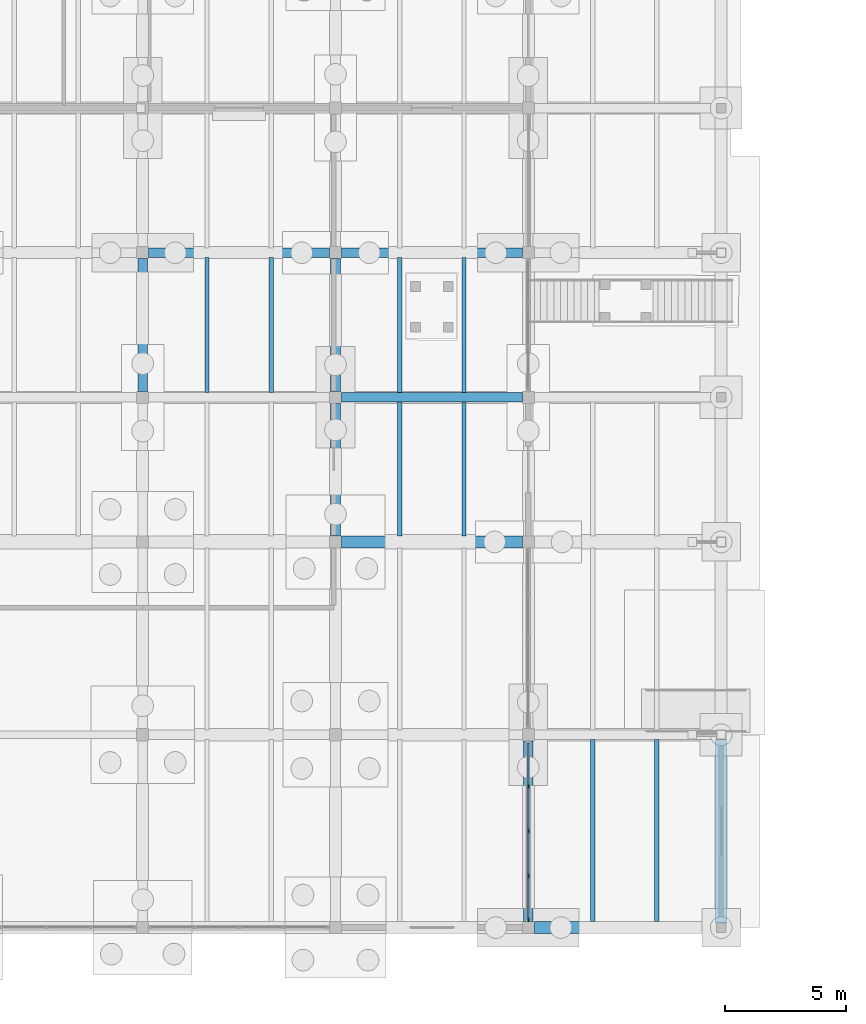
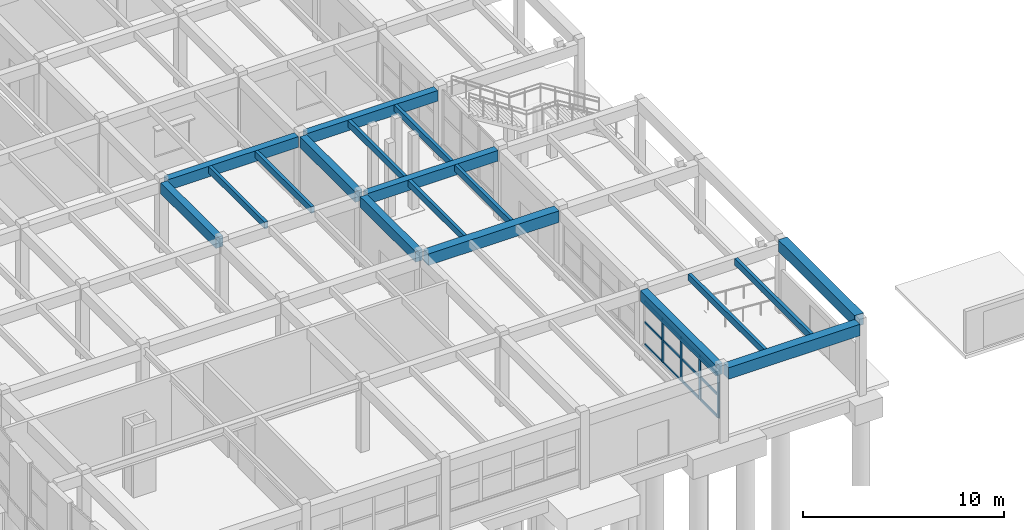
# One storey, part 16 of 99: 18 beams, 16 members, 1 element without a shape of its own.
"""IFC4 building model written with IfcOpenShell, lengths in metres."""

from ifc_helpers import new_model, si_unit, direction, frame, origin, origin_2d, place, context, subcontext, project, spatial, rectangle, extrude, material, layer, layer_set, material_profile, profile_set, type_object, element, aggregate, save


model = new_model("IFC4")

# Units and contexts
model_context = context("Model", 3, precision=1e-05, world=origin(), true_north=direction((0.0, 1.0)))
body_context = subcontext(model_context, "Body", "Model", "MODEL_VIEW")
ifc_project = project(units=[si_unit("LENGTHUNIT", "METRE"), si_unit("AREAUNIT", "SQUARE_METRE"), si_unit("VOLUMEUNIT", "CUBIC_METRE"), si_unit("PLANEANGLEUNIT", "RADIAN"), si_unit("MASSUNIT", "GRAM", prefix="KILO")], contexts=[model_context])

# Site, building, storey
site_placement = place(None, origin())
site = spatial("IfcSite", under=ifc_project, at=site_placement, CompositionType="ELEMENT")
building_placement = place(site_placement, origin())
building = spatial("IfcBuilding", under=site, at=building_placement, Name="Tonlespit Floodbar School", CompositionType="ELEMENT")
storey_placement = place(building_placement, origin())
storey = spatial("IfcBuildingStorey", under=building, at=storey_placement, Name="L00", CompositionType="ELEMENT", Elevation=0.0)

# Beams
ifc_material_1 = material(Name="Concrete C40/50", Category="concrete")
ifc_material_profile_1 = material_profile(ifc_material_1, rectangle(XDim=0.39990234375, YDim=0.64990234375, at=origin_2d()), Name="RC 400x650")
ifc_profile_set_1 = profile_set([ifc_material_profile_1], Name="Concrete C40/50")
beam_type_1 = type_object("IfcBeamType", Name="Beam_RC_400x650", PredefinedType="BEAM", material=ifc_profile_set_1)
for number, where, z_axis, x_axis, name in (
    (1, (28.25, 26.0, 3.9150390625), (1.0, 0.0, 0.0), (0.0, 1.0, 0.0), "L00 girder 0025"),
    (2, (20.25, 32.0, 3.9150390625), (1.0, 0.0, 0.0), (0.0, 1.0, 0.0), "L00 girder 0029"),
    (3, (28.25, 32.0, 3.9150390625), (1.0, 0.0, 0.0), (0.0, 1.0, 0.0), "L00 girder 0030"),
):
    element("IfcBeam", number, at=place(storey_placement, frame(where, z_axis=z_axis, x_axis=x_axis)), inside=storey, type_object=beam_type_1, Name=name, PredefinedType="BEAM", context=body_context, shape_type="SweptSolid", body=[
        extrude(rectangle(XDim=0.39990234375, YDim=0.64990234375, at=origin_2d()), origin(), (0.0, 0.0, 1.0), 7.5),
    ])
for number, where, z_axis, x_axis, name in (
    (4, (20.0, 26.25, 3.9150390625), (0.0, 1.0, 0.0), (-1.0, 0.0, 0.0), "L00 girder 0187"),
    (5, (28.0, 20.25, 3.9150390625), (0.0, 1.0, 0.0), (-1.0, 0.0, 0.0), "L00 girder 0199"),
    (6, (28.0, 26.25, 3.9150390625), (0.0, 1.0, 0.0), (-1.0, 0.0, 0.0), "L00 girder 0200"),
):
    element("IfcBeam", number, at=place(storey_placement, frame(where, z_axis=z_axis, x_axis=x_axis)), inside=storey, type_object=beam_type_1, Name=name, PredefinedType="BEAM", context=body_context, shape_type="SweptSolid", body=[
        extrude(rectangle(XDim=0.39990234375, YDim=0.64990234375, at=origin_2d()), origin(), (0.0, 0.0, 1.0), 5.5),
    ])
beam_1_placement = place(storey_placement, frame((36.0, 4.25, 3.9150390625), z_axis=(0.0, 1.0, 0.0), x_axis=(-1.0, 0.0, 0.0)))
element("IfcBeam", 7, at=beam_1_placement, inside=storey, type_object=beam_type_1, Name="L00 girder 0209", PredefinedType="BEAM", context=body_context, shape_type="SweptSolid", body=[
    extrude(rectangle(XDim=0.39990234375, YDim=0.64990234375, at=origin_2d()), origin(), (0.0, 0.0, 1.0), 7.5),
])

# Curtain wall, members
ifc_material_2 = material(Name="Anodised Aluminium", Category="aluminium")
ifc_layer = layer(ifc_material_2, 0.159912109375)
ifc_layer_set = layer_set([ifc_layer], Name="Anodised Aluminium")
curtain_wall_type = type_object("IfcCurtainWallType", Name="CurtainWall_7400x2650", PredefinedType="NOTDEFINED", material=ifc_layer_set)
curtain_wall_placement = place(storey_placement, origin())
curtain_wall = element("IfcCurtainWall", 8, at=curtain_wall_placement, inside=storey, type_object=curtain_wall_type, Name="L00 unitised curtain wall 0511", PredefinedType="NOTDEFINED")
ifc_material_profile_2 = material_profile(ifc_material_2, rectangle(XDim=0.06494140625, YDim=0.179931640625, at=origin_2d()), Name="ALU M65x180")
ifc_profile_set_2 = profile_set([ifc_material_profile_2], Name="Anodised Aluminium")
member_type_1 = type_object("IfcMemberType", Name="CW_Mullion_65x180", PredefinedType="MULLION", material=ifc_profile_set_2)
member_1_placement = place(storey_placement, frame((36.0, 9.85498046875, 0.949951171875), z_axis=(0.0, 0.0, 1.0), x_axis=(1.0, 0.0, 0.0)))
member_1 = element("IfcMember", 9, at=member_1_placement, type_object=member_type_1, Name="CW-34 mullion 2", PredefinedType="MULLION", context=body_context, shape_type="SweptSolid", body=[
    extrude(rectangle(XDim=0.06494140625, YDim=0.179931640625, at=origin_2d()), origin(), (0.0, 0.0, 1.0), 2.64013671875),
])
member_2_placement = place(storey_placement, frame((36.0, 8.0, 0.949951171875), z_axis=(0.0, 0.0, 1.0), x_axis=(1.0, 0.0, 0.0)))
member_2 = element("IfcMember", 10, at=member_2_placement, type_object=member_type_1, Name="CW-34 mullion 3", PredefinedType="MULLION", context=body_context, shape_type="SweptSolid", body=[
    extrude(rectangle(XDim=0.06494140625, YDim=0.179931640625, at=origin_2d()), origin(), (0.0, 0.0, 1.0), 2.64013671875),
])
member_3_placement = place(storey_placement, frame((36.0, 6.14501953125, 0.949951171875), z_axis=(0.0, 0.0, 1.0), x_axis=(1.0, 0.0, 0.0)))
member_3 = element("IfcMember", 11, at=member_3_placement, type_object=member_type_1, Name="CW-34 mullion 4", PredefinedType="MULLION", context=body_context, shape_type="SweptSolid", body=[
    extrude(rectangle(XDim=0.06494140625, YDim=0.179931640625, at=origin_2d()), origin(), (0.0, 0.0, 1.0), 2.64013671875),
])
member_4_placement = place(storey_placement, frame((36.0, 4.322509765625, 0.949951171875), z_axis=(0.0, 0.0, 1.0), x_axis=(1.0, 0.0, 0.0)))
member_4 = element("IfcMember", 12, at=member_4_placement, type_object=member_type_1, Name="CW-34 mullion 5", PredefinedType="MULLION", context=body_context, shape_type="SweptSolid", body=[
    extrude(rectangle(XDim=0.06494140625, YDim=0.179931640625, at=origin_2d()), origin(), (0.0, 0.0, 1.0), 2.64013671875),
])
ifc_material_profile_3 = material_profile(ifc_material_2, rectangle(XDim=0.06494140625, YDim=0.139892578125, at=origin_2d()), Name="ALU T65x140")
ifc_profile_set_3 = profile_set([ifc_material_profile_3], Name="Anodised Aluminium")
member_type_2 = type_object("IfcMemberType", Name="CW_Transom_65x140", PredefinedType="USERDEFINED", material=ifc_profile_set_3)
member_5_placement = place(storey_placement, frame((36.0, 11.64501953125, 0.982421875), z_axis=(0.0, -1.0, 0.0), x_axis=(1.0, 0.0, 0.0)))
member_5 = element("IfcMember", 13, at=member_5_placement, type_object=member_type_2, Name="CW-34 transom 1.1", ObjectType="TRANSOM", PredefinedType="USERDEFINED", context=body_context, shape_type="SweptSolid", body=[
    extrude(rectangle(XDim=0.06494140625, YDim=0.139892578125, at=origin_2d()), origin(), (0.0, 0.0, 1.0), 1.757568359375),
])
member_6_placement = place(storey_placement, frame((36.0, 11.64501953125, 2.32275390625), z_axis=(0.0, -1.0, 0.0), x_axis=(1.0, 0.0, 0.0)))
member_6 = element("IfcMember", 14, at=member_6_placement, type_object=member_type_2, Name="CW-34 transom 1.2", ObjectType="TRANSOM", PredefinedType="USERDEFINED", context=body_context, shape_type="SweptSolid", body=[
    extrude(rectangle(XDim=0.06494140625, YDim=0.139892578125, at=origin_2d()), origin(), (0.0, 0.0, 1.0), 1.757568359375),
])
member_7_placement = place(storey_placement, frame((36.0, 11.64501953125, 3.5576171875), z_axis=(0.0, -1.0, 0.0), x_axis=(1.0, 0.0, 0.0)))
member_7 = element("IfcMember", 15, at=member_7_placement, type_object=member_type_2, Name="CW-34 transom 1.3", ObjectType="TRANSOM", PredefinedType="USERDEFINED", context=body_context, shape_type="SweptSolid", body=[
    extrude(rectangle(XDim=0.06494140625, YDim=0.139892578125, at=origin_2d()), origin(), (0.0, 0.0, 1.0), 1.757568359375),
])
member_8_placement = place(storey_placement, frame((36.0, 9.822509765625, 0.982421875), z_axis=(0.0, -1.0, 0.0), x_axis=(1.0, 0.0, 0.0)))
member_8 = element("IfcMember", 16, at=member_8_placement, type_object=member_type_2, Name="CW-34 transom 2.1", ObjectType="TRANSOM", PredefinedType="USERDEFINED", context=body_context, shape_type="SweptSolid", body=[
    extrude(rectangle(XDim=0.06494140625, YDim=0.139892578125, at=origin_2d()), origin(), (0.0, 0.0, 1.0), 1.7900390625),
])
member_9_placement = place(storey_placement, frame((36.0, 9.822509765625, 2.32275390625), z_axis=(0.0, -1.0, 0.0), x_axis=(1.0, 0.0, 0.0)))
member_9 = element("IfcMember", 17, at=member_9_placement, type_object=member_type_2, Name="CW-34 transom 2.2", ObjectType="TRANSOM", PredefinedType="USERDEFINED", context=body_context, shape_type="SweptSolid", body=[
    extrude(rectangle(XDim=0.06494140625, YDim=0.139892578125, at=origin_2d()), origin(), (0.0, 0.0, 1.0), 1.7900390625),
])
member_10_placement = place(storey_placement, frame((36.0, 9.822509765625, 3.5576171875), z_axis=(0.0, -1.0, 0.0), x_axis=(1.0, 0.0, 0.0)))
member_10 = element("IfcMember", 18, at=member_10_placement, type_object=member_type_2, Name="CW-34 transom 2.3", ObjectType="TRANSOM", PredefinedType="USERDEFINED", context=body_context, shape_type="SweptSolid", body=[
    extrude(rectangle(XDim=0.06494140625, YDim=0.139892578125, at=origin_2d()), origin(), (0.0, 0.0, 1.0), 1.7900390625),
])
member_11_placement = place(storey_placement, frame((36.0, 7.967529296875, 0.982421875), z_axis=(0.0, -1.0, 0.0), x_axis=(1.0, 0.0, 0.0)))
member_11 = element("IfcMember", 19, at=member_11_placement, type_object=member_type_2, Name="CW-34 transom 3.1", ObjectType="TRANSOM", PredefinedType="USERDEFINED", context=body_context, shape_type="SweptSolid", body=[
    extrude(rectangle(XDim=0.06494140625, YDim=0.139892578125, at=origin_2d()), origin(), (0.0, 0.0, 1.0), 1.7900390625),
])
member_12_placement = place(storey_placement, frame((36.0, 7.967529296875, 2.32275390625), z_axis=(0.0, -1.0, 0.0), x_axis=(1.0, 0.0, 0.0)))
member_12 = element("IfcMember", 20, at=member_12_placement, type_object=member_type_2, Name="CW-34 transom 3.2", ObjectType="TRANSOM", PredefinedType="USERDEFINED", context=body_context, shape_type="SweptSolid", body=[
    extrude(rectangle(XDim=0.06494140625, YDim=0.139892578125, at=origin_2d()), origin(), (0.0, 0.0, 1.0), 1.7900390625),
])
member_13_placement = place(storey_placement, frame((36.0, 7.967529296875, 3.5576171875), z_axis=(0.0, -1.0, 0.0), x_axis=(1.0, 0.0, 0.0)))
member_13 = element("IfcMember", 21, at=member_13_placement, type_object=member_type_2, Name="CW-34 transom 3.3", ObjectType="TRANSOM", PredefinedType="USERDEFINED", context=body_context, shape_type="SweptSolid", body=[
    extrude(rectangle(XDim=0.06494140625, YDim=0.139892578125, at=origin_2d()), origin(), (0.0, 0.0, 1.0), 1.7900390625),
])
member_14_placement = place(storey_placement, frame((36.0, 6.112548828125, 0.982421875), z_axis=(0.0, -1.0, 0.0), x_axis=(1.0, 0.0, 0.0)))
member_14 = element("IfcMember", 22, at=member_14_placement, type_object=member_type_2, Name="CW-34 transom 4.1", ObjectType="TRANSOM", PredefinedType="USERDEFINED", context=body_context, shape_type="SweptSolid", body=[
    extrude(rectangle(XDim=0.06494140625, YDim=0.139892578125, at=origin_2d()), origin(), (0.0, 0.0, 1.0), 1.757568359375),
])
member_15_placement = place(storey_placement, frame((36.0, 6.112548828125, 2.32275390625), z_axis=(0.0, -1.0, 0.0), x_axis=(1.0, 0.0, 0.0)))
member_15 = element("IfcMember", 23, at=member_15_placement, type_object=member_type_2, Name="CW-34 transom 4.2", ObjectType="TRANSOM", PredefinedType="USERDEFINED", context=body_context, shape_type="SweptSolid", body=[
    extrude(rectangle(XDim=0.06494140625, YDim=0.139892578125, at=origin_2d()), origin(), (0.0, 0.0, 1.0), 1.757568359375),
])
member_16_placement = place(storey_placement, frame((36.0, 6.112548828125, 3.5576171875), z_axis=(0.0, -1.0, 0.0), x_axis=(1.0, 0.0, 0.0)))
member_16 = element("IfcMember", 24, at=member_16_placement, type_object=member_type_2, Name="CW-34 transom 4.3", ObjectType="TRANSOM", PredefinedType="USERDEFINED", context=body_context, shape_type="SweptSolid", body=[
    extrude(rectangle(XDim=0.06494140625, YDim=0.139892578125, at=origin_2d()), origin(), (0.0, 0.0, 1.0), 1.757568359375),
])
aggregate(curtain_wall, [member_1, member_2, member_3, member_4, member_5, member_6, member_7, member_8, member_9, member_10, member_11, member_12, member_13, member_14, member_15, member_16])

# Beams
ifc_material_3 = material(Name="Glulam GL28h", Category="wood")
ifc_material_profile_4 = material_profile(ifc_material_3, rectangle(XDim=0.179931640625, YDim=0.39990234375, at=origin_2d()), Name="GL 180x400")
ifc_profile_set_4 = profile_set([ifc_material_profile_4], Name="Glulam GL28h")
beam_type_2 = type_object("IfcBeamType", Name="Joist_GL_180x400", PredefinedType="JOIST", material=ifc_profile_set_4)
for number, where, z_axis, x_axis, name in (
    (25, (38.666748046875, 4.25, 4.0400390625), (0.0, 1.0, 0.0), (-1.0, 0.0, 0.0), "L00 secondary joist 0339"),
    (26, (41.333251953125, 4.25, 4.0400390625), (0.0, 1.0, 0.0), (-1.0, 0.0, 0.0), "L00 secondary joist 0340"),
):
    element("IfcBeam", number, at=place(storey_placement, frame(where, z_axis=z_axis, x_axis=x_axis)), inside=storey, type_object=beam_type_2, Name=name, PredefinedType="JOIST", context=body_context, shape_type="SweptSolid", body=[
        extrude(rectangle(XDim=0.179931640625, YDim=0.39990234375, at=origin_2d()), origin(), (0.0, 0.0, 1.0), 7.550048828125),
    ])
for number, where, z_axis, x_axis, name in (
    (27, (30.666748046875, 20.25, 4.0400390625), (0.0, 1.0, 0.0), (-1.0, 0.0, 0.0), "L00 secondary joist 0353"),
    (28, (33.333251953125, 20.25, 4.0400390625), (0.0, 1.0, 0.0), (-1.0, 0.0, 0.0), "L00 secondary joist 0354"),
):
    element("IfcBeam", number, at=place(storey_placement, frame(where, z_axis=z_axis, x_axis=x_axis)), inside=storey, type_object=beam_type_2, Name=name, PredefinedType="JOIST", context=body_context, shape_type="SweptSolid", body=[
        extrude(rectangle(XDim=0.179931640625, YDim=0.39990234375, at=origin_2d()), origin(), (0.0, 0.0, 1.0), 5.550048828125),
    ])
for number, where, z_axis, x_axis, name in (
    (29, (22.666748046875, 26.199951171875, 4.0400390625), (0.0, 1.0, 0.0), (-1.0, 0.0, 0.0), "L00 secondary joist 0361"),
    (30, (25.333251953125, 26.199951171875, 4.0400390625), (0.0, 1.0, 0.0), (-1.0, 0.0, 0.0), "L00 secondary joist 0362"),
    (31, (30.666748046875, 26.199951171875, 4.0400390625), (0.0, 1.0, 0.0), (-1.0, 0.0, 0.0), "L00 secondary joist 0363"),
    (32, (33.333251953125, 26.199951171875, 4.0400390625), (0.0, 1.0, 0.0), (-1.0, 0.0, 0.0), "L00 secondary joist 0364"),
):
    element("IfcBeam", number, at=place(storey_placement, frame(where, z_axis=z_axis, x_axis=x_axis)), inside=storey, type_object=beam_type_2, Name=name, PredefinedType="JOIST", context=body_context, shape_type="SweptSolid", body=[
        extrude(rectangle(XDim=0.179931640625, YDim=0.39990234375, at=origin_2d()), origin(), (0.0, 0.0, 1.0), 5.60009765625),
    ])
ifc_material_profile_5 = material_profile(ifc_material_1, rectangle(XDim=0.5, YDim=0.699951171875, at=origin_2d()), Name="RC 500x700")
ifc_profile_set_5 = profile_set([ifc_material_profile_5], Name="Concrete C40/50")
beam_type_3 = type_object("IfcBeamType", Name="Spandrel_RC_500x700", PredefinedType="SPANDREL", material=ifc_profile_set_5)
beam_2_placement = place(storey_placement, frame((36.25, 4.0, 3.889892578125), z_axis=(1.0, 0.0, 0.0), x_axis=(0.0, 1.0, 0.0)))
element("IfcBeam", 33, at=beam_2_placement, inside=storey, type_object=beam_type_3, Name="L00 girder 0005", PredefinedType="SPANDREL", context=body_context, shape_type="SweptSolid", body=[
    extrude(rectangle(XDim=0.5, YDim=0.699951171875, at=origin_2d()), origin(), (0.0, 0.0, 1.0), 7.550048828125),
])
beam_3_placement = place(storey_placement, frame((28.25, 20.0, 3.889892578125), z_axis=(1.0, 0.0, 0.0), x_axis=(0.0, 1.0, 0.0)))
element("IfcBeam", 34, at=beam_3_placement, inside=storey, type_object=beam_type_3, Name="L00 girder 0013", PredefinedType="SPANDREL", context=body_context, shape_type="SweptSolid", body=[
    extrude(rectangle(XDim=0.5, YDim=0.699951171875, at=origin_2d()), origin(), (0.0, 0.0, 1.0), 7.5),
])
beam_4_placement = place(storey_placement, frame((44.0, 4.199951171875, 4.14990234375), z_axis=(0.0, 1.0, 0.0), x_axis=(-1.0, 0.0, 0.0)))
element("IfcBeam", 35, at=beam_4_placement, inside=storey, type_object=beam_type_3, Name="L00 girder 0221", PredefinedType="SPANDREL", context=body_context, shape_type="SweptSolid", body=[
    extrude(rectangle(XDim=0.5, YDim=0.699951171875, at=origin_2d()), origin(), (0.0, 0.0, 1.0), 7.60009765625),
])

save(model, "model.ifc")
